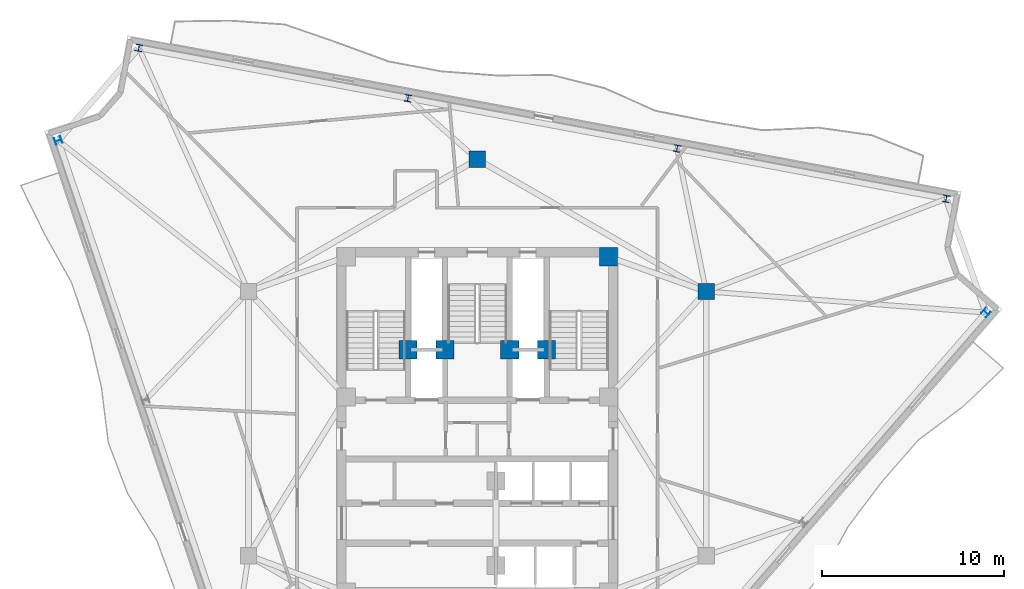
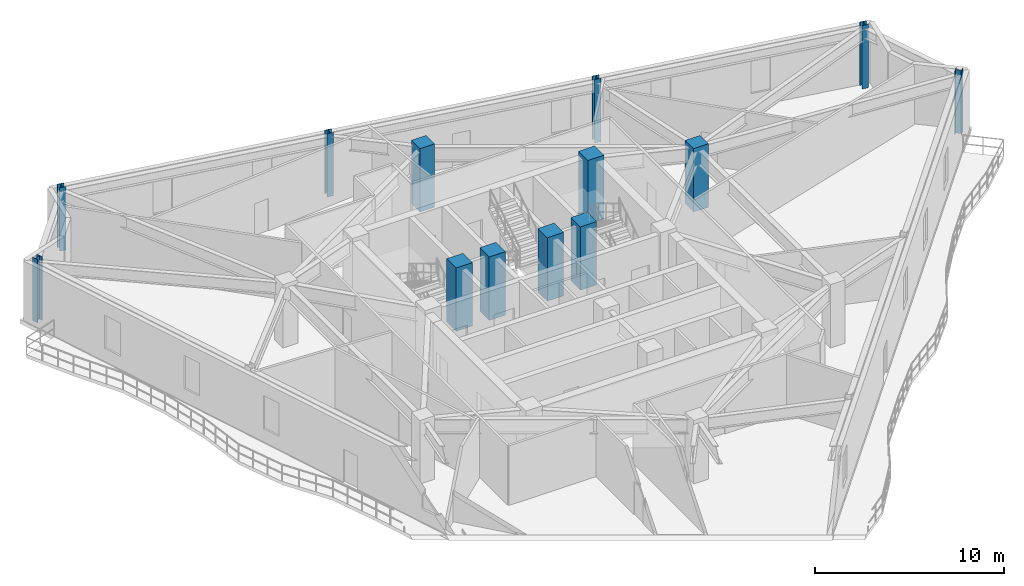
# One storey, part 2 of 11: 13 columns.
"""IFC4 building model written with IfcOpenShell, lengths in metres."""

from ifc_helpers import new_model, si_unit, direction, frame, origin, origin_2d, place, context, subcontext, project, spatial, rectangle, i_section, extrude, material, material_profile, profile_set, type_object, element, save


model = new_model("IFC4")

# Units and contexts
model_context = context("Model", 3, precision=1e-05, world=origin(), true_north=direction((0.0, 1.0)))
body_context = subcontext(model_context, "Body", "Model", "MODEL_VIEW")
ifc_project = project(units=[si_unit("LENGTHUNIT", "METRE"), si_unit("AREAUNIT", "SQUARE_METRE"), si_unit("VOLUMEUNIT", "CUBIC_METRE"), si_unit("PLANEANGLEUNIT", "RADIAN"), si_unit("MASSUNIT", "GRAM", prefix="KILO")], contexts=[model_context])

# Site, building, storey
site_placement = place(None, origin())
site = spatial("IfcSite", under=ifc_project, at=site_placement, CompositionType="ELEMENT")
building_placement = place(site_placement, origin())
building = spatial("IfcBuilding", under=site, at=building_placement, Name="Apsidion Concourse Tower", CompositionType="ELEMENT")
storey_placement = place(building_placement, frame((0.0, 0.0, 281.89990234375)))
storey = spatial("IfcBuildingStorey", under=building, at=storey_placement, Name="L66", CompositionType="ELEMENT", Elevation=281.89990234375)

# Columns
ifc_material_1 = material(Name="Concrete C50/60", Category="concrete")
ifc_material_profile_1 = material_profile(ifc_material_1, rectangle(XDim=1.0, YDim=1.0, at=origin_2d()), Name="RC 1000x1000")
ifc_profile_set_1 = profile_set([ifc_material_profile_1], Name="Concrete C50/60")
column_type_1 = type_object("IfcColumnType", Name="COL-RC-1000", PredefinedType="COLUMN", material=ifc_profile_set_1)
for number, where, z_axis, x_axis, name in (
    (1, (7.199951171875, 9.14990234375, 0.0), (0.0, 0.0, 1.0), (1.0, 0.0, 0.0), "L66 Core Super-Column SC4"),
    (2, (-3.800048828125, 4.050048828125, 0.0), (0.0, 0.0, 1.0), (1.0, 0.0, 0.0), "L66 Core Super-Column CC1"),
    (3, (3.800048828125, 4.050048828125, 0.0), (0.0, 0.0, 1.0), (1.0, 0.0, 0.0), "L66 Core Super-Column CC2"),
    (4, (-1.77490234375, 4.050048828125, 0.0), (0.0, 0.0, 1.0), (1.0, 0.0, 0.0), "L66 Core Super-Column CC3"),
    (5, (1.77490234375, 4.050048828125, 0.0), (0.0, 0.0, 1.0), (1.0, 0.0, 0.0), "L66 Core Super-Column CC4"),
):
    element("IfcColumn", number, at=place(storey_placement, frame(where, z_axis=z_axis, x_axis=x_axis)), inside=storey, type_object=column_type_1, Name=name, PredefinedType="COLUMN", context=body_context, shape_type="SweptSolid", body=[
        extrude(rectangle(XDim=1.0, YDim=1.0, at=origin_2d()), origin(), (0.0, 0.0, 1.0), 4.10009765625),
    ])
ifc_material_profile_2 = material_profile(ifc_material_1, rectangle(XDim=0.89990234375, YDim=0.89990234375, at=origin_2d()), Name="RC 900x900")
ifc_profile_set_2 = profile_set([ifc_material_profile_2], Name="Concrete C50/60")
column_type_2 = type_object("IfcColumnType", Name="COL-RC-900", PredefinedType="COLUMN", material=ifc_profile_set_2)
for number, where, z_axis, x_axis, name in (
    (6, (12.56005859375, 7.25, 0.0), (0.0, 0.0, 1.0), (1.0, 0.0, 0.0), "L66 Interior Spine Column IC3"),
    (7, (0.0, 14.5, 0.0), (0.0, 0.0, 1.0), (1.0, 0.0, 0.0), "L66 Interior Spine Column IC4"),
):
    element("IfcColumn", number, at=place(storey_placement, frame(where, z_axis=z_axis, x_axis=x_axis)), inside=storey, type_object=column_type_2, Name=name, PredefinedType="COLUMN", context=body_context, shape_type="SweptSolid", body=[
        extrude(rectangle(XDim=0.89990234375, YDim=0.89990234375, at=origin_2d()), origin(), (0.0, 0.0, 1.0), 4.10009765625),
    ])
ifc_material_2 = material(Name="Structural steel ASTM A992 Grade 50", Category="steel")
ifc_material_profile_3 = material_profile(ifc_material_2, i_section(OverallWidth=0.373046875, OverallDepth=0.373046875, WebThickness=0.016357421875, FlangeThickness=0.026123046875, at=origin_2d()), Name="W14X132")
ifc_profile_set_3 = profile_set([ifc_material_profile_3], Name="Structural steel ASTM A992 Grade 50")
column_type_3 = type_object("IfcColumnType", Name="COL-W14-132", PredefinedType="COLUMN", material=ifc_profile_set_3)
for number, where, z_axis, x_axis, name in (
    (8, (-23.00439453125, 15.53125, 0.0), (0.0, 0.0, 1.0), (-0.318628456287, 0.947879690069, 0.0), "L66 Rotated Perimeter Column PC01"),
    (9, (27.91455078125, 6.091064453125, 0.0), (0.0, 0.0, 1.0), (0.656059028991, 0.754709580223, 0.0), "L66 Rotated Perimeter Column PC08"),
    (10, (25.73779296875, 12.33837890625, 0.0), (0.0, 0.0, 1.0), (-0.982999500399, 0.183608230249, 0.0), "L66 Rotated Perimeter Column PC09"),
    (11, (10.964599609375, 15.0986328125, 0.0), (0.0, 0.0, 1.0), (-0.982999500399, 0.183608230249, 0.0), "L66 Rotated Perimeter Column PC10"),
    (12, (-3.80859375, 17.85888671875, 0.0), (0.0, 0.0, 1.0), (-0.982999500399, 0.183608230249, 0.0), "L66 Rotated Perimeter Column PC11"),
    (13, (-18.58154296875, 20.619140625, 0.0), (0.0, 0.0, 1.0), (-0.982999500399, 0.183608230249, 0.0), "L66 Rotated Perimeter Column PC12"),
):
    element("IfcColumn", number, at=place(storey_placement, frame(where, z_axis=z_axis, x_axis=x_axis)), inside=storey, type_object=column_type_3, Name=name, PredefinedType="COLUMN", context=body_context, shape_type="SweptSolid", body=[
        extrude(i_section(OverallWidth=0.373046875, OverallDepth=0.373046875, WebThickness=0.016357421875, FlangeThickness=0.026123046875, at=origin_2d()), origin(), (0.0, 0.0, 1.0), 4.10009765625),
    ])

save(model, "model.ifc")
